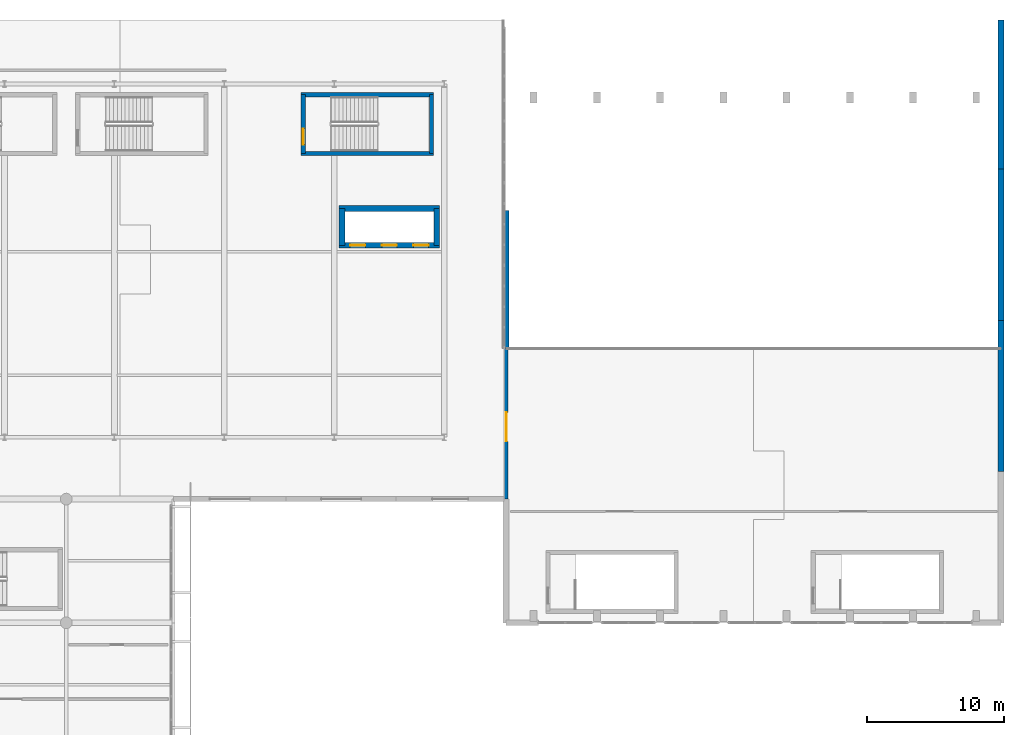
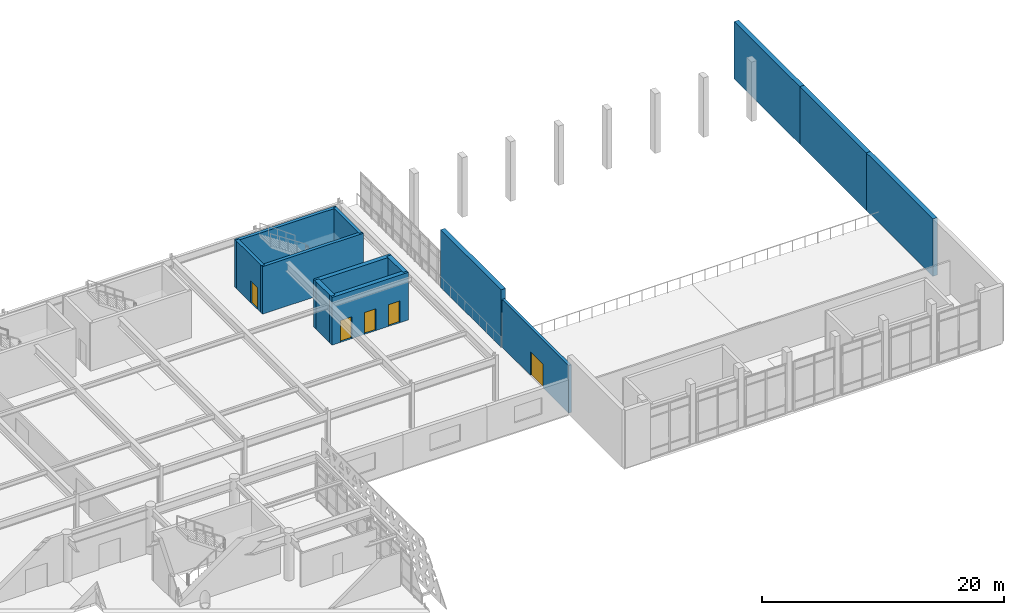
# One storey, part 40 of 54: 13 walls, 5 doors, 5 openings.
"""IFC4 building model written with IfcOpenShell, lengths in metres."""

from ifc_helpers import new_model, si_unit, direction, frame, frame_2d, origin, place, context, subcontext, project, spatial, rectangle, extrude, material, layer, layer_set, type_object, element, fill, save


model = new_model("IFC4")

# Units and contexts
model_context = context("Model", 3, precision=1e-05, world=origin(), true_north=direction((0.0, 1.0)))
body_context = subcontext(model_context, "Body", "Model", "MODEL_VIEW")
ifc_project = project(units=[si_unit("LENGTHUNIT", "METRE"), si_unit("AREAUNIT", "SQUARE_METRE"), si_unit("VOLUMEUNIT", "CUBIC_METRE"), si_unit("PLANEANGLEUNIT", "RADIAN"), si_unit("MASSUNIT", "GRAM", prefix="KILO")], contexts=[model_context])

# Site, building, storey
site_placement = place(None, origin())
site = spatial("IfcSite", under=ifc_project, at=site_placement, CompositionType="ELEMENT")
building_placement = place(site_placement, origin())
building = spatial("IfcBuilding", under=site, at=building_placement, Name="Tlacozan Convention Centre", CompositionType="ELEMENT")
storey_placement = place(building_placement, frame((0.0, 0.0, 11.39990234375)))
storey = spatial("IfcBuildingStorey", under=building, at=storey_placement, Name="L02", CompositionType="ELEMENT", Elevation=11.39990234375)

# Wall, opening, door
ifc_material_1 = material(Name="Concrete C40/50", Category="concrete")
ifc_layer_1 = layer(ifc_material_1, 0.260009765625)
ifc_layer_set_1 = layer_set([ifc_layer_1], Name="Concrete C40/50")
wall_type_1 = type_object("IfcWallType", Name="Compartment Rated Wall RC 260", PredefinedType="SOLIDWALL", material=ifc_layer_set_1)
wall_1_placement = place(storey_placement, frame((144.0, 27.0, 0.0), z_axis=(0.0, 0.0, 1.0), x_axis=(0.0, 1.0, 0.0)))
wall_1 = element("IfcWall", 1, at=wall_1_placement, inside=storey, type_object=wall_type_1, Name="L02 Compartment Rated Wall RC 260 625", PredefinedType="SOLIDWALL", context=body_context, shape_type="SweptSolid", body=[
    extrude(rectangle(XDim=11.0, YDim=0.260009765625, at=frame_2d((5.5, 0.0))), origin(), (0.0, 0.0, 1.0), 4.800048828125),
])
opening_1_placement = place(wall_1_placement, frame((4.199951171875, 0.0, 0.0)))
opening_1 = element("IfcOpeningElement", 2, at=opening_1_placement, cuts=wall_1, Name="Opening FD-04", PredefinedType="OPENING", context=body_context, shape_type="SweptSolid", body=[
    extrude(rectangle(XDim=2.10009765625, YDim=2.39990234375, at=frame_2d((1.050048828125, 1.199951171875))), frame((0.0, 0.139892578125, 0.0), z_axis=(0.0, -1.0, 0.0), x_axis=(1.0, 0.0, 0.0)), (0.0, 0.0, 1.0), 0.280029296875),
])
ifc_material_2 = material(Name="Fire-Rated Insulated Steel Door Leaf", Category="steel")
door_type_1 = type_object("IfcDoorType", Name="Fire Door Compartment Double 2100x2400 FD90", OperationType="DOUBLE_DOOR_SINGLE_SWING", PredefinedType="DOOR", material=ifc_material_2)
door_1_placement = place(opening_1_placement, origin())
door_1 = element("IfcDoor", 3, at=door_1_placement, inside=storey, type_object=door_type_1, Name="L02 Fire Door Compartment Double 2100x2400 FD90 226", OperationType="DOUBLE_DOOR_SINGLE_SWING", OverallHeight=2.39990234375, OverallWidth=2.10009765625, PredefinedType="DOOR", context=body_context, shape_type="SweptSolid", body=[
    extrude(rectangle(XDim=2.10009765625, YDim=2.39990234375, at=frame_2d((1.050048828125, 1.199951171875))), frame((0.0, 0.02490234375, 0.0), z_axis=(0.0, -1.0, 0.0), x_axis=(1.0, 0.0, 0.0)), (0.0, 0.0, 1.0), 0.050048828125),
])
fill(opening_1, door_1)

# Wall, openings, doors
ifc_layer_2 = layer(ifc_material_1, 0.409912109375)
ifc_layer_set_2 = layer_set([ifc_layer_2], Name="Concrete C40/50")
wall_type_2 = type_object("IfcWallType", Name="Core Shear Wall RC 410", PredefinedType="SHEAR", material=ifc_layer_set_2)
wall_2_placement = place(storey_placement, frame((131.85498046875, 45.4599609375, 0.0), z_axis=(0.0, 0.0, 1.0), x_axis=(1.0, 0.0, 0.0)))
wall_2 = element("IfcWall", 4, at=wall_2_placement, inside=storey, type_object=wall_type_2, Name="L02 Core Shear Wall RC 410 257", PredefinedType="SHEAR", context=body_context, shape_type="SweptSolid", body=[
    extrude(rectangle(XDim=7.2900390625, YDim=0.409912109375, at=frame_2d((3.64501953125, 0.0))), origin(), (0.0, 0.0, 1.0), 4.800048828125),
])
opening_2_placement = place(wall_2_placement, frame((0.794921875, 0.0, 0.0)))
opening_2 = element("IfcOpeningElement", 5, at=opening_2_placement, cuts=wall_2, Name="Opening LD-01", PredefinedType="OPENING", context=body_context, shape_type="SweptSolid", body=[
    extrude(rectangle(XDim=1.10009765625, YDim=2.199951171875, at=frame_2d((0.550048828125, 1.10009765625))), frame((0.0, 0.21484375, 0.0), z_axis=(0.0, -1.0, 0.0), x_axis=(1.0, 0.0, 0.0)), (0.0, 0.0, 1.0), 0.429931640625),
])
opening_3_placement = place(wall_2_placement, frame((3.094970703125, 0.0, 0.0)))
opening_3 = element("IfcOpeningElement", 6, at=opening_3_placement, cuts=wall_2, Name="Opening LD-01", PredefinedType="OPENING", context=body_context, shape_type="SweptSolid", body=[
    extrude(rectangle(XDim=1.10009765625, YDim=2.199951171875, at=frame_2d((0.550048828125, 1.10009765625))), frame((0.0, 0.21484375, 0.0), z_axis=(0.0, -1.0, 0.0), x_axis=(1.0, 0.0, 0.0)), (0.0, 0.0, 1.0), 0.429931640625),
])
opening_4_placement = place(wall_2_placement, frame((5.39501953125, 0.0, 0.0)))
opening_4 = element("IfcOpeningElement", 7, at=opening_4_placement, cuts=wall_2, Name="Opening LD-01", PredefinedType="OPENING", context=body_context, shape_type="SweptSolid", body=[
    extrude(rectangle(XDim=1.10009765625, YDim=2.199951171875, at=frame_2d((0.550048828125, 1.10009765625))), frame((0.0, 0.21484375, 0.0), z_axis=(0.0, -1.0, 0.0), x_axis=(1.0, 0.0, 0.0)), (0.0, 0.0, 1.0), 0.429931640625),
])
ifc_material_3 = material(Name="Brushed Stainless Steel Sliding Landing Door", Category="steel")
door_type_2 = type_object("IfcDoorType", Name="Lift Sliding Landing Door 1100x2200", OperationType="DOUBLE_DOOR_SLIDING", PredefinedType="DOOR", material=ifc_material_3)
door_2_placement = place(opening_2_placement, origin())
door_2 = element("IfcDoor", 8, at=door_2_placement, inside=storey, type_object=door_type_2, Name="L02 Lift PL-05 Landing Door", OperationType="DOUBLE_DOOR_SLIDING", OverallHeight=2.199951171875, OverallWidth=1.10009765625, PredefinedType="DOOR", context=body_context, shape_type="SweptSolid", body=[
    extrude(rectangle(XDim=1.10009765625, YDim=2.199951171875, at=frame_2d((0.550048828125, 1.10009765625))), frame((0.0, 0.02490234375, 0.0), z_axis=(0.0, -1.0, 0.0), x_axis=(1.0, 0.0, 0.0)), (0.0, 0.0, 1.0), 0.050048828125),
])
fill(opening_2, door_2)
door_3_placement = place(opening_3_placement, origin())
door_3 = element("IfcDoor", 9, at=door_3_placement, inside=storey, type_object=door_type_2, Name="L02 Lift PL-06 Landing Door", OperationType="DOUBLE_DOOR_SLIDING", OverallHeight=2.199951171875, OverallWidth=1.10009765625, PredefinedType="DOOR", context=body_context, shape_type="SweptSolid", body=[
    extrude(rectangle(XDim=1.10009765625, YDim=2.199951171875, at=frame_2d((0.550048828125, 1.10009765625))), frame((0.0, 0.02490234375, 0.0), z_axis=(0.0, -1.0, 0.0), x_axis=(1.0, 0.0, 0.0)), (0.0, 0.0, 1.0), 0.050048828125),
])
fill(opening_3, door_3)
door_4_placement = place(opening_4_placement, origin())
door_4 = element("IfcDoor", 10, at=door_4_placement, inside=storey, type_object=door_type_2, Name="L02 Lift PL-07 Landing Door", OperationType="DOUBLE_DOOR_SLIDING", OverallHeight=2.199951171875, OverallWidth=1.10009765625, PredefinedType="DOOR", context=body_context, shape_type="SweptSolid", body=[
    extrude(rectangle(XDim=1.10009765625, YDim=2.199951171875, at=frame_2d((0.550048828125, 1.10009765625))), frame((0.0, 0.02490234375, 0.0), z_axis=(0.0, -1.0, 0.0), x_axis=(1.0, 0.0, 0.0)), (0.0, 0.0, 1.0), 0.050048828125),
])
fill(opening_4, door_4)

# Walls
wall_3_placement = place(storey_placement, frame((131.85498046875, 48.139892578125, 0.0), z_axis=(0.0, 0.0, 1.0), x_axis=(1.0, 0.0, 0.0)))
element("IfcWall", 11, at=wall_3_placement, inside=storey, type_object=wall_type_2, Name="L02 Core Shear Wall RC 410 258", PredefinedType="SHEAR", context=body_context, shape_type="SweptSolid", body=[
    extrude(rectangle(XDim=7.2900390625, YDim=0.409912109375, at=frame_2d((3.64501953125, 0.0))), origin(), (0.0, 0.0, 1.0), 4.800048828125),
])
for number, where, z_axis, x_axis, name in (
    (12, (132.06005859375, 45.4599609375, 0.0), (0.0, 0.0, 1.0), (0.0, 1.0, 0.0), "L02 Core Shear Wall RC 410 259"),
    (13, (138.93994140625, 45.4599609375, 0.0), (0.0, 0.0, 1.0), (0.0, 1.0, 0.0), "L02 Core Shear Wall RC 410 260"),
):
    element("IfcWall", number, at=place(storey_placement, frame(where, z_axis=z_axis, x_axis=x_axis)), inside=storey, type_object=wall_type_2, Name=name, PredefinedType="SHEAR", context=body_context, shape_type="SweptSolid", body=[
        extrude(rectangle(XDim=2.679931640625, YDim=0.409912109375, at=frame_2d((1.33984375, 0.0))), origin(), (0.0, 0.0, 1.0), 4.800048828125),
    ])
ifc_layer_3 = layer(ifc_material_1, 0.429931640625)
ifc_layer_set_3 = layer_set([ifc_layer_3], Name="Concrete C40/50")
wall_type_3 = type_object("IfcWallType", Name="Plenary Acoustic Stone Wall 430", PredefinedType="SOLIDWALL", material=ifc_layer_set_3)
for number, where, z_axis, x_axis, name in (
    (14, (180.0, 29.0, 0.0), (0.0, 0.0, 1.0), (0.0, 1.0, 0.0), "L02 Plenary Acoustic Stone Wall 430 163"),
    (15, (180.0, 40.0, 0.0), (0.0, 0.0, 1.0), (0.0, 1.0, 0.0), "L02 Plenary Acoustic Stone Wall 430 166"),
):
    element("IfcWall", number, at=place(storey_placement, frame(where, z_axis=z_axis, x_axis=x_axis)), inside=storey, type_object=wall_type_3, Name=name, PredefinedType="SOLIDWALL", context=body_context, shape_type="SweptSolid", body=[
        extrude(rectangle(XDim=11.0, YDim=0.429931640625, at=frame_2d((5.5, 0.0))), origin(), (0.0, 0.0, 1.0), 5.800048828125),
    ])
wall_4_placement = place(storey_placement, frame((180.0, 51.0, 0.0), z_axis=(0.0, 0.0, 1.0), x_axis=(0.0, 1.0, 0.0)))
element("IfcWall", 16, at=wall_4_placement, inside=storey, type_object=wall_type_3, Name="L02 Plenary Acoustic Stone Wall 430 169", PredefinedType="SOLIDWALL", context=body_context, shape_type="SweptSolid", body=[
    extrude(rectangle(XDim=10.85009765625, YDim=0.429931640625, at=frame_2d((5.425048828125, 0.0))), origin(), (0.0, 0.0, 1.0), 5.800048828125),
])
wall_5_placement = place(storey_placement, frame((144.0, 38.0, 0.0), z_axis=(0.0, 0.0, 1.0), x_axis=(0.0, 1.0, 0.0)))
element("IfcWall", 17, at=wall_5_placement, inside=storey, type_object=wall_type_3, Name="L02 Plenary Acoustic Stone Wall 430 185", PredefinedType="SOLIDWALL", context=body_context, shape_type="SweptSolid", body=[
    extrude(rectangle(XDim=10.0, YDim=0.429931640625, at=frame_2d((5.0, 0.0))), origin(), (0.0, 0.0, 1.0), 5.800048828125),
])
ifc_layer_4 = layer(ifc_material_1, 0.31005859375)
ifc_layer_set_4 = layer_set([ifc_layer_4], Name="Concrete C40/50")
wall_type_4 = type_object("IfcWallType", Name="Stair Shaft Shear Wall RC 310", PredefinedType="SHEAR", material=ifc_layer_set_4)
for number, where, z_axis, x_axis, name in (
    (18, (129.0849609375, 52.139892578125, 0.0), (0.0, 0.0, 1.0), (1.0, 0.0, 0.0), "L02 Stair Shaft Shear Wall RC 310 253"),
    (19, (129.0849609375, 56.419921875, 0.0), (0.0, 0.0, 1.0), (1.0, 0.0, 0.0), "L02 Stair Shaft Shear Wall RC 310 254"),
):
    element("IfcWall", number, at=place(storey_placement, frame(where, z_axis=z_axis, x_axis=x_axis)), inside=storey, type_object=wall_type_4, Name=name, PredefinedType="SHEAR", context=body_context, shape_type="SweptSolid", body=[
        extrude(rectangle(XDim=9.630126953125, YDim=0.31005859375, at=frame_2d((4.81494140625, 0.0))), origin(), (0.0, 0.0, 1.0), 4.800048828125),
    ])

# Wall, opening, door
wall_6_placement = place(storey_placement, frame((129.239990234375, 52.139892578125, 0.0), z_axis=(0.0, 0.0, 1.0), x_axis=(0.0, 1.0, 0.0)))
wall_6 = element("IfcWall", 20, at=wall_6_placement, inside=storey, type_object=wall_type_4, Name="L02 Stair Shaft Shear Wall RC 310 255", PredefinedType="SHEAR", context=body_context, shape_type="SweptSolid", body=[
    extrude(rectangle(XDim=4.280029296875, YDim=0.31005859375, at=frame_2d((2.14013671875, 0.0))), origin(), (0.0, 0.0, 1.0), 4.800048828125),
])
opening_5_placement = place(wall_6_placement, frame((0.64990234375, 0.0, 0.0)))
opening_5 = element("IfcOpeningElement", 21, at=opening_5_placement, cuts=wall_6, Name="Opening FD-02", PredefinedType="OPENING", context=body_context, shape_type="SweptSolid", body=[
    extrude(rectangle(XDim=1.14990234375, YDim=2.199951171875, at=frame_2d((0.574951171875, 1.10009765625))), frame((0.0, 0.1650390625, 0.0), z_axis=(0.0, -1.0, 0.0), x_axis=(1.0, 0.0, 0.0)), (0.0, 0.0, 1.0), 0.330078125),
])
door_type_3 = type_object("IfcDoorType", Name="Fire Door Stair 1150x2200 FD90", OperationType="NOTDEFINED", PredefinedType="DOOR", material=ifc_material_2)
door_5_placement = place(opening_5_placement, origin())
door_5 = element("IfcDoor", 22, at=door_5_placement, inside=storey, type_object=door_type_3, Name="L02 Stair ST-03 Fire Door", OperationType="SINGLE_SWING_LEFT", OverallHeight=2.199951171875, OverallWidth=1.14990234375, PredefinedType="DOOR", context=body_context, shape_type="SweptSolid", body=[
    extrude(rectangle(XDim=1.14990234375, YDim=2.199951171875, at=frame_2d((0.574951171875, 1.10009765625))), frame((0.0, 0.02490234375, 0.0), z_axis=(0.0, -1.0, 0.0), x_axis=(1.0, 0.0, 0.0)), (0.0, 0.0, 1.0), 0.050048828125),
])
fill(opening_5, door_5)

# Wall
wall_7_placement = place(storey_placement, frame((138.56005859375, 52.139892578125, 0.0), z_axis=(0.0, 0.0, 1.0), x_axis=(0.0, 1.0, 0.0)))
element("IfcWall", 23, at=wall_7_placement, inside=storey, type_object=wall_type_4, Name="L02 Stair Shaft Shear Wall RC 310 256", PredefinedType="SHEAR", context=body_context, shape_type="SweptSolid", body=[
    extrude(rectangle(XDim=4.280029296875, YDim=0.31005859375, at=frame_2d((2.14013671875, 0.0))), origin(), (0.0, 0.0, 1.0), 4.800048828125),
])

save(model, "model.ifc")
